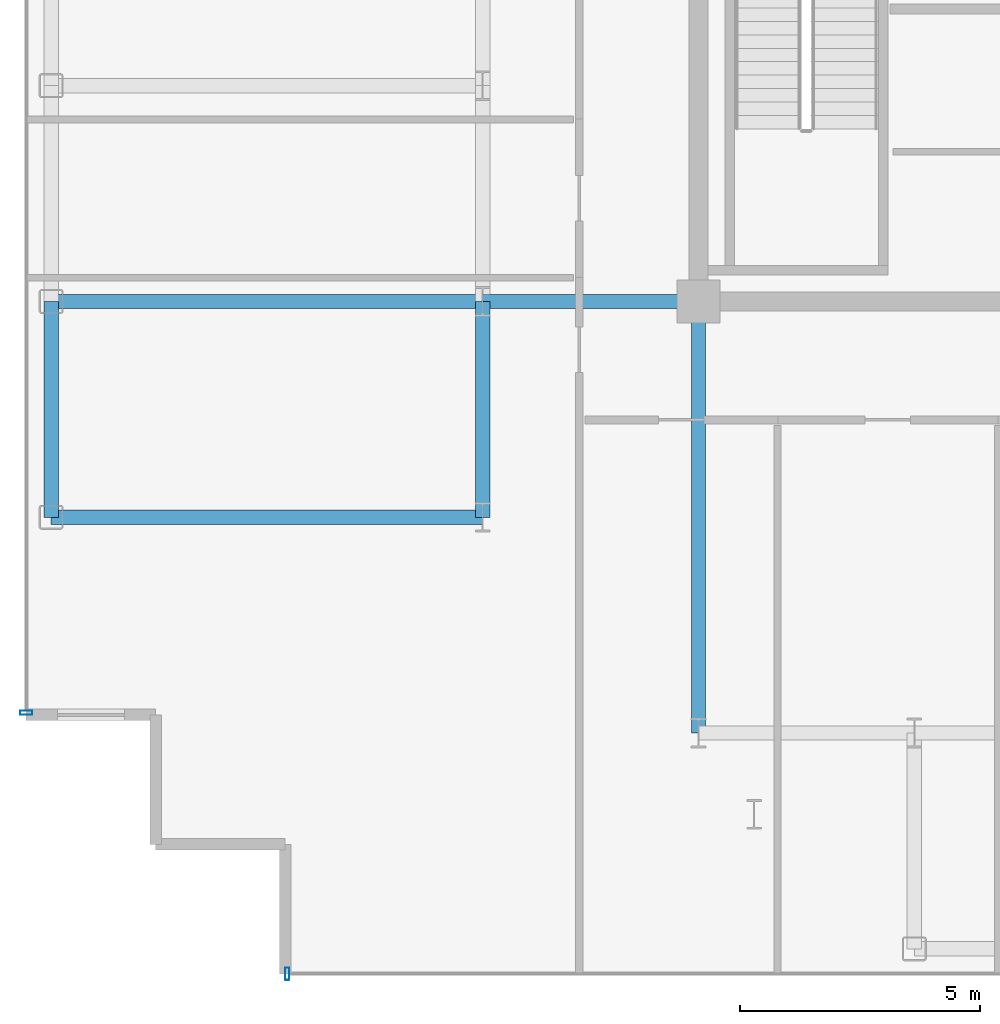
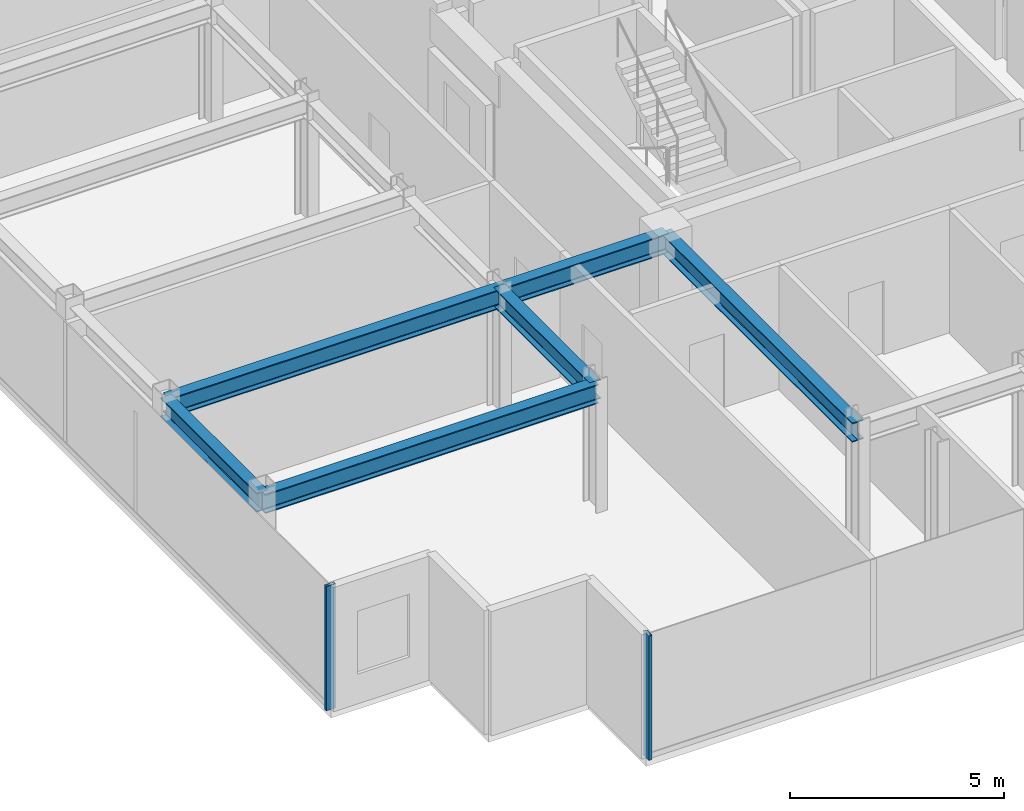
# One storey, part 2 of 17: 6 beams, 2 members, 2 elements without a shape of their own.
"""IFC4 building model written with IfcOpenShell, lengths in metres."""

from ifc_helpers import new_model, si_unit, direction, frame, origin, origin_2d, place, context, subcontext, project, spatial, hollow_rectangle, i_section, extrude, source, transform, mapped, material, layer, layer_set, material_profile, profile_set, type_object, element, aggregate, save


model = new_model("IFC4")

# Units and contexts
model_context = context("Model", 3, precision=1e-05, world=origin(), true_north=direction((0.0, 1.0)))
body_context = subcontext(model_context, "Body", "Model", "MODEL_VIEW")
ifc_project = project(units=[si_unit("LENGTHUNIT", "METRE"), si_unit("AREAUNIT", "SQUARE_METRE"), si_unit("VOLUMEUNIT", "CUBIC_METRE"), si_unit("PLANEANGLEUNIT", "RADIAN"), si_unit("MASSUNIT", "GRAM", prefix="KILO")], contexts=[model_context])

# Site, building, storey
site_placement = place(None, origin())
site = spatial("IfcSite", under=ifc_project, at=site_placement, CompositionType="ELEMENT")
building_placement = place(site_placement, origin())
building = spatial("IfcBuilding", under=site, at=building_placement, Name="Nefas-Gora Pilgrimage Tower", CompositionType="ELEMENT")
storey_placement = place(building_placement, frame((0.0, 0.0, 341.39990234375)))
storey = spatial("IfcBuildingStorey", under=building, at=storey_placement, Name="L86", CompositionType="ELEMENT", Elevation=341.39990234375)

# Beams
ifc_material_1 = material(Name="Steel S355", Category="steel")
ifc_material_profile_1 = material_profile(ifc_material_1, i_section(OverallWidth=0.300048828125, OverallDepth=0.550048828125, WebThickness=0.014892578125, FlangeThickness=0.029052734375, FilletRadius=0.027099609375, at=origin_2d()), Name="HEB 550")
ifc_profile_set_1 = profile_set([ifc_material_profile_1], Name="Steel S355")
beam_type_1 = type_object("IfcBeamType", Name="BM-SPN-HEB400", PredefinedType="SPANDREL", material=ifc_profile_set_1)
shared_shape_1 = source(origin(), body_context, "Body", "SweptSolid", [
    extrude(i_section(OverallWidth=0.300048828125, OverallDepth=0.550048828125, WebThickness=0.014892578125, FlangeThickness=0.029052734375, FilletRadius=0.027099609375, at=origin_2d()), origin(), (0.0, 0.0, 1.0), 4.5),
])
beam_placement = place(storey_placement, frame((-24.75, -13.5, 3.275146484375), z_axis=(0.0, 1.0, 0.0), x_axis=(-1.0, 0.0, 0.0)))
element("IfcBeam", 1, at=beam_placement, inside=storey, type_object=beam_type_1, Name="L86 SP-04 beam", PredefinedType="SPANDREL", context=body_context, shape_type="MappedRepresentation", body=[
    mapped(shared_shape_1, transform((0.0, 0.0, 0.0), x_axis=(1.0, 0.0, 0.0), y_axis=(0.0, 1.0, 0.0), z_axis=(0.0, 0.0, 1.0), scale=1.0)),
])
ifc_material_profile_2 = material_profile(ifc_material_1, i_section(OverallWidth=0.300048828125, OverallDepth=0.550048828125, WebThickness=0.014892578125, FlangeThickness=0.029052734375, FilletRadius=0.027099609375, at=origin_2d()), Name="HEB 550")
ifc_profile_set_2 = profile_set([ifc_material_profile_2], Name="Steel S355")
beam_type_2 = type_object("IfcBeamType", Name="BM-GIR-HEB550", PredefinedType="BEAM", material=ifc_profile_set_2)
shared_shape_2 = source(origin(), body_context, "Body", "SweptSolid", [
    extrude(i_section(OverallWidth=0.300048828125, OverallDepth=0.550048828125, WebThickness=0.014892578125, FlangeThickness=0.029052734375, FilletRadius=0.027099609375, at=origin_2d()), origin(), (0.0, 0.0, 1.0), 9.0),
])
for number, where, z_axis, x_axis, name in (
    (2, (-24.75, -13.5, 3.275146484375), (1.0, 0.0, 0.0), (0.0, 1.0, 0.0), "L86 G-05 beam"),
    (3, (-24.75, -9.0, 3.275146484375), (1.0, 0.0, 0.0), (0.0, 1.0, 0.0), "L86 G-05 beam"),
    (4, (-11.25, -18.0, 3.275146484375), (0.0, 1.0, 0.0), (-1.0, 0.0, 0.0), "L86 G-05 beam"),
):
    element("IfcBeam", number, at=place(storey_placement, frame(where, z_axis=z_axis, x_axis=x_axis)), inside=storey, type_object=beam_type_2, Name=name, PredefinedType="BEAM", context=body_context, shape_type="MappedRepresentation", body=[
        mapped(shared_shape_2, transform((0.0, 0.0, 0.0), x_axis=(1.0, 0.0, 0.0), y_axis=(0.0, 1.0, 0.0), z_axis=(0.0, 0.0, 1.0), scale=1.0)),
    ])
shared_shape_3 = source(origin(), body_context, "Body", "SweptSolid", [
    extrude(i_section(OverallWidth=0.300048828125, OverallDepth=0.550048828125, WebThickness=0.014892578125, FlangeThickness=0.029052734375, FilletRadius=0.027099609375, at=origin_2d()), origin(), (0.0, 0.0, 1.0), 4.5),
])
for number, where, z_axis, x_axis, name in (
    (5, (-15.75, -13.5, 3.275146484375), (0.0, 1.0, 0.0), (-1.0, 0.0, 0.0), "L86 G-05 beam"),
    (6, (-15.75, -9.0, 3.275146484375), (1.0, 0.0, 0.0), (0.0, 1.0, 0.0), "L86 G-05 beam"),
):
    element("IfcBeam", number, at=place(storey_placement, frame(where, z_axis=z_axis, x_axis=x_axis)), inside=storey, type_object=beam_type_2, Name=name, PredefinedType="BEAM", context=body_context, shape_type="MappedRepresentation", body=[
        mapped(shared_shape_3, transform((0.0, 0.0, 0.0), x_axis=(1.0, 0.0, 0.0), y_axis=(0.0, 1.0, 0.0), z_axis=(0.0, 0.0, 1.0), scale=1.0)),
    ])

# Curtain wall, member
ifc_material_2 = material(Name="Dark ceramic-fritted solar-control aluminium-glass curtain wall", Category="aluminium")
ifc_layer = layer(ifc_material_2, 0.219970703125)
ifc_layer_set = layer_set([ifc_layer], Name="Dark ceramic-fritted solar-control aluminium-glass curtain wall")
curtain_wall_type = type_object("IfcCurtainWallType", Name="CW-SYS-4", PredefinedType="NOTDEFINED", material=ifc_layer_set)
curtain_wall_1_placement = place(storey_placement, origin())
curtain_wall_1 = element("IfcCurtainWall", 7, at=curtain_wall_1_placement, inside=storey, type_object=curtain_wall_type, Name="L86 Unitised Curtain Wall CW4", PredefinedType="NOTDEFINED")
ifc_material_3 = material(Name="Anodised architectural aluminium", Category="aluminium")
ifc_material_profile_3 = material_profile(ifc_material_3, hollow_rectangle(XDim=0.090087890625, YDim=0.260009765625, WallThickness=0.006103515625, InnerFilletRadius=0.006103515625, OuterFilletRadius=0.011962890625, at=origin_2d()), Name="ALU MULLION 90x260")
ifc_profile_set_3 = profile_set([ifc_material_profile_3], Name="Anodised architectural aluminium")
member_type = type_object("IfcMemberType", Name="CWM-MUL-4", PredefinedType="MULLION", material=ifc_profile_set_3)
shared_shape_4 = source(origin(), body_context, "Body", "SweptSolid", [
    extrude(hollow_rectangle(XDim=0.090087890625, YDim=0.260009765625, WallThickness=0.006103515625, InnerFilletRadius=0.006103515625, OuterFilletRadius=0.011962890625, at=origin_2d()), origin(), (0.0, 0.0, 1.0), 3.550048828125),
])
member_1_placement = place(storey_placement, frame((-25.27001953125, -17.574951171875, 0.0), z_axis=(0.0, 0.0, 1.0), x_axis=(0.0, -1.0, 0.0)))
member_1 = element("IfcMember", 8, at=member_1_placement, type_object=member_type, Name="CW4 Mullion 3", PredefinedType="MULLION", context=body_context, shape_type="MappedRepresentation", body=[
    mapped(shared_shape_4, transform((0.0, 0.0, 0.0), x_axis=(1.0, 0.0, 0.0), y_axis=(0.0, 1.0, 0.0), z_axis=(0.0, 0.0, 1.0), scale=1.0)),
])
aggregate(curtain_wall_1, [member_1])

curtain_wall_2_placement = place(storey_placement, origin())
curtain_wall_2 = element("IfcCurtainWall", 9, at=curtain_wall_2_placement, inside=storey, type_object=curtain_wall_type, Name="L86 Unitised Curtain Wall CW4", PredefinedType="NOTDEFINED")
member_2_placement = place(storey_placement, frame((-19.824951171875, -23.02001953125, 0.0), z_axis=(0.0, 0.0, 1.0), x_axis=(1.0, 0.0, 0.0)))
member_2 = element("IfcMember", 10, at=member_2_placement, type_object=member_type, Name="CW4 Mullion 1", PredefinedType="MULLION", context=body_context, shape_type="MappedRepresentation", body=[
    mapped(shared_shape_4, transform((0.0, 0.0, 0.0), x_axis=(1.0, 0.0, 0.0), y_axis=(0.0, 1.0, 0.0), z_axis=(0.0, 0.0, 1.0), scale=1.0)),
])
aggregate(curtain_wall_2, [member_2])

save(model, "model.ifc")
